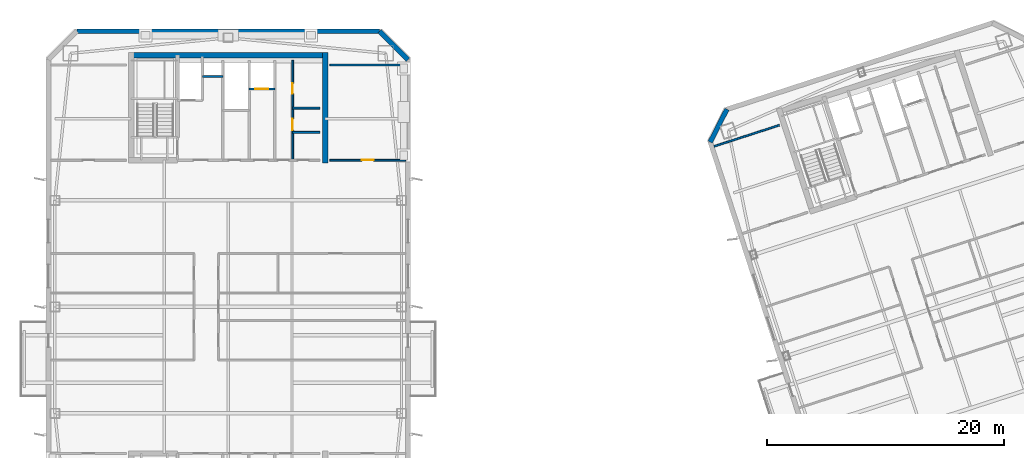
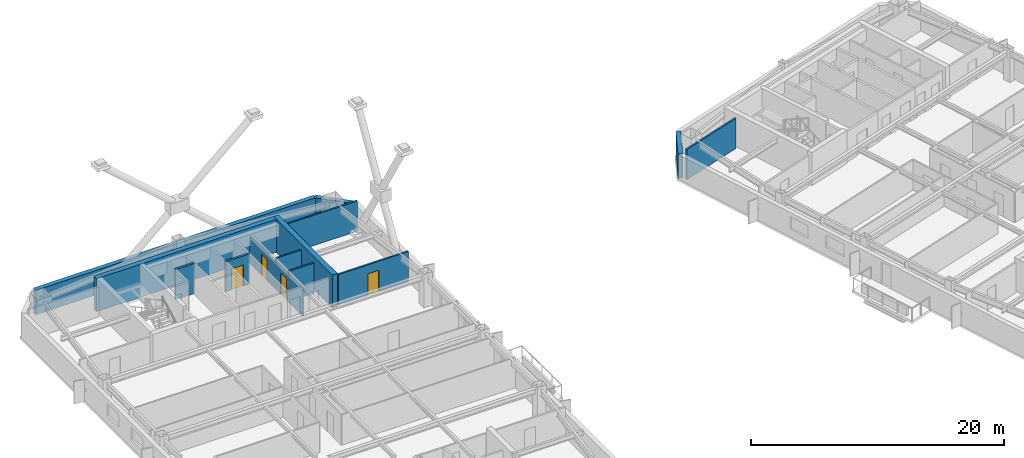
# One storey, part 8 of 18: 13 walls, 4 doors, 4 openings.
"""IFC4 building model written with IfcOpenShell, lengths in metres."""

from ifc_helpers import new_model, si_unit, direction, frame, frame_2d, origin, place, context, subcontext, project, spatial, rectangle, extrude, material, layer, layer_set, type_object, element, fill, save


model = new_model("IFC4")

# Units and contexts
model_context = context("Model", 3, precision=1e-05, world=origin(), true_north=direction((0.0, 1.0)))
body_context = subcontext(model_context, "Body", "Model", "MODEL_VIEW")
ifc_project = project(units=[si_unit("LENGTHUNIT", "METRE"), si_unit("AREAUNIT", "SQUARE_METRE"), si_unit("VOLUMEUNIT", "CUBIC_METRE"), si_unit("PLANEANGLEUNIT", "RADIAN"), si_unit("MASSUNIT", "GRAM", prefix="KILO")], contexts=[model_context])

# Site, building, storey
site_placement = place(None, origin())
site = spatial("IfcSite", under=ifc_project, at=site_placement, CompositionType="ELEMENT")
building_placement = place(site_placement, origin())
building = spatial("IfcBuilding", under=site, at=building_placement, Name="Qiaolan Cultural Towers", CompositionType="ELEMENT")
storey_placement = place(building_placement, frame((0.0, 0.0, 237.60009765625)))
storey = spatial("IfcBuildingStorey", under=building, at=storey_placement, Name="L64", CompositionType="ELEMENT", Elevation=237.60009765625)

# Walls
ifc_material_1 = material(Name="Concrete C50", Category="concrete")
ifc_layer_1 = layer(ifc_material_1, 0.449951171875)
ifc_layer_set_1 = layer_set([ifc_layer_1], Name="Concrete C50")
wall_type_1 = type_object("IfcWallType", Name="WL-CORE-450", PredefinedType="SHEAR", material=ifc_layer_set_1)
wall_1_placement = place(storey_placement, frame((21.574951171875, 55.280029296875, 0.0), z_axis=(0.0, 0.0, 1.0), x_axis=(1.0, 0.0, 0.0)))
element("IfcWall", 1, at=wall_1_placement, inside=storey, type_object=wall_type_1, Name="L64 T1-CN Outer Core Shear Wall", PredefinedType="SHEAR", context=body_context, shape_type="SweptSolid", body=[
    extrude(rectangle(XDim=16.85009765625, YDim=0.449951171875, at=frame_2d((8.425048828125, 0.0))), origin(), (0.0, 0.0, 1.0), 3.199951171875),
])
wall_2_placement = place(storey_placement, frame((38.199951171875, 46.175048828125, 0.0), z_axis=(0.0, 0.0, 1.0), x_axis=(0.0, 1.0, 0.0)))
element("IfcWall", 2, at=wall_2_placement, inside=storey, type_object=wall_type_1, Name="L64 T1-CN East Core Shear Wall", PredefinedType="SHEAR", context=body_context, shape_type="SweptSolid", body=[
    extrude(rectangle(XDim=9.329833984375, YDim=0.449951171875, at=frame_2d((4.6650390625, 0.0))), origin(), (0.0, 0.0, 1.0), 3.199951171875),
])
ifc_material_2 = material(Name="Precast Concrete C50 Honed Stone Pier", Category="masonry")
ifc_layer_2 = layer(ifc_material_2, 0.39990234375)
ifc_layer_set_2 = layer_set([ifc_layer_2], Name="Precast Concrete C50 Honed Stone Pier")
wall_type_2 = type_object("IfcWallType", Name="WL-EXT-PIER-400", PredefinedType="SOLIDWALL", material=ifc_layer_set_2)
wall_3_placement = place(storey_placement, frame((17.199951171875, 57.300048828125, 0.0), z_axis=(0.0, 0.0, 1.0), x_axis=(1.0, 0.0, 0.0)))
element("IfcWall", 3, at=wall_3_placement, inside=storey, type_object=wall_type_2, Name="L64 West Tower Precast Pier Facade Wall F3", PredefinedType="SOLIDWALL", context=body_context, shape_type="SweptSolid", body=[
    extrude(rectangle(XDim=25.60009765625, YDim=0.39990234375, at=frame_2d((12.800048828125, 0.0))), origin(), (0.0, 0.0, 1.0), 2.35986328125),
])
wall_4_placement = place(storey_placement, frame((42.800048828125, 57.300048828125, 0.0), z_axis=(0.0, 0.0, 1.0), x_axis=(0.707070815327, -0.707142745217, 0.0)))
element("IfcWall", 4, at=wall_4_placement, inside=storey, type_object=wall_type_2, Name="L64 West Tower Precast Pier Facade Wall F4", PredefinedType="SOLIDWALL", context=body_context, shape_type="SweptSolid", body=[
    extrude(rectangle(XDim=3.39404296875, YDim=0.39990234375, at=frame_2d((1.697021484375, 0.0))), origin(), (0.0, 0.0, 1.0), 2.35986328125),
])
wall_5_placement = place(storey_placement, frame((70.752197265625, 47.93408203125, 0.0), z_axis=(0.0, 0.0, 1.0), x_axis=(0.453949291228, 0.891027519774, 0.0)))
element("IfcWall", 5, at=wall_5_placement, inside=storey, type_object=wall_type_2, Name="L64 East Tower Precast Pier Facade Wall F2", PredefinedType="SOLIDWALL", context=body_context, shape_type="SweptSolid", body=[
    extrude(rectangle(XDim=3.111328125, YDim=0.39990234375, at=frame_2d((1.5556640625, 0.0))), origin(), (0.0, 0.0, 1.0), 2.35986328125),
])
ifc_material_3 = material(Name="Concrete C35 Fire Wall", Category="concrete")
ifc_layer_3 = layer(ifc_material_3, 0.199951171875)
ifc_layer_set_3 = layer_set([ifc_layer_3], Name="Concrete C35 Fire Wall")
wall_type_3 = type_object("IfcWallType", Name="WL-FIRE-200", PredefinedType="PARTITIONING", material=ifc_layer_set_3)
wall_6_placement = place(storey_placement, frame((27.820068359375, 53.47998046875, 0.0), z_axis=(0.0, 0.0, 1.0), x_axis=(1.0, 0.0, 0.0)))
element("IfcWall", 6, at=wall_6_placement, inside=storey, type_object=wall_type_3, Name="L64 T1-CN Pressurization Shaft Front Wall", PredefinedType="PARTITIONING", context=body_context, shape_type="SweptSolid", body=[
    extrude(rectangle(XDim=1.72998046875, YDim=0.199951171875, at=frame_2d((0.864990234375, 0.0))), origin(), (0.0, 0.0, 1.0), 2.9248046875),
])

# Wall, opening, door
wall_7_placement = place(storey_placement, frame((31.780029296875, 52.419921875, 0.0), z_axis=(0.0, 0.0, 1.0), x_axis=(1.0, 0.0, 0.0)))
wall_7 = element("IfcWall", 7, at=wall_7_placement, inside=storey, type_object=wall_type_3, Name="L64 T1-CN Shuttle Lift Shaft Front", PredefinedType="PARTITIONING", context=body_context, shape_type="SweptSolid", body=[
    extrude(rectangle(XDim=2.169921875, YDim=0.199951171875, at=frame_2d((1.0849609375, 0.0))), origin(), (0.0, 0.0, 1.0), 2.9248046875),
])
opening_1_placement = place(wall_7_placement, frame((0.52001953125, 0.0, 0.0)))
opening_1 = element("IfcOpeningElement", 8, at=opening_1_placement, cuts=wall_7, Name="Opening LD-01", PredefinedType="OPENING", context=body_context, shape_type="SweptSolid", body=[
    extrude(rectangle(XDim=1.10009765625, YDim=2.050048828125, at=frame_2d((0.550048828125, 1.02490234375))), frame((0.0, 0.10986328125, 0.0), z_axis=(0.0, -1.0, 0.0), x_axis=(1.0, 0.0, 0.0)), (0.0, 0.0, 1.0), 0.219970703125),
])
ifc_material_4 = material(Name="Brushed Stainless Steel S30408 Centre-Parting Lift Landing Door", Category="steel")
door_type_1 = type_object("IfcDoorType", Name="DR-LIFT-1100", OperationType="NOTDEFINED", PredefinedType="DOOR", material=ifc_material_4)
door_1_placement = place(opening_1_placement, origin())
door_1 = element("IfcDoor", 9, at=door_1_placement, inside=storey, type_object=door_type_1, Name="L64 Sky Shuttle Lift Landing Door", OperationType="DOUBLE_DOOR_SLIDING", OverallHeight=2.050048828125, OverallWidth=1.10009765625, PredefinedType="DOOR", context=body_context, shape_type="SweptSolid", body=[
    extrude(rectangle(XDim=1.10009765625, YDim=2.050048828125, at=frame_2d((0.550048828125, 1.02490234375))), frame((0.0, 0.02490234375, 0.0), z_axis=(0.0, -1.0, 0.0), x_axis=(1.0, 0.0, 0.0)), (0.0, 0.0, 1.0), 0.050048828125),
])
fill(opening_1, door_1)

# Wall, openings, doors
ifc_material_5 = material(Name="Autoclaved Aerated Concrete Block B06", Category="concrete")
ifc_layer_4 = layer(ifc_material_5, 0.14990234375)
ifc_layer_set_4 = layer_set([ifc_layer_4], Name="Autoclaved Aerated Concrete Block B06")
wall_type_4 = type_object("IfcWallType", Name="WL-PART-150", PredefinedType="PARTITIONING", material=ifc_layer_set_4)
wall_8_placement = place(storey_placement, frame((35.449951171875, 46.39990234375, 0.0), z_axis=(0.0, 0.0, 1.0), x_axis=(0.0, 1.0, 0.0)))
wall_8 = element("IfcWall", 10, at=wall_8_placement, inside=storey, type_object=wall_type_4, Name="L64 T1-CN Sanitary Corridor Wall", PredefinedType="PARTITIONING", context=body_context, shape_type="SweptSolid", body=[
    extrude(rectangle(XDim=8.43017578125, YDim=0.14990234375, at=frame_2d((4.215087890625, 0.0))), origin(), (0.0, 0.0, 1.0), 2.514892578125),
])
opening_2_placement = place(wall_8_placement, frame((2.550048828125, 0.0, 0.0)))
opening_2 = element("IfcOpeningElement", 11, at=opening_2_placement, cuts=wall_8, Name="Opening ID-05", PredefinedType="OPENING", context=body_context, shape_type="SweptSolid", body=[
    extrude(rectangle(XDim=0.949951171875, YDim=2.050048828125, at=frame_2d((0.47509765625, 1.02490234375))), frame((0.0, 0.0849609375, 0.0), z_axis=(0.0, -1.0, 0.0), x_axis=(1.0, 0.0, 0.0)), (0.0, 0.0, 1.0), 0.169921875),
])
opening_3_placement = place(wall_8_placement, frame((5.60009765625, 0.0, 0.0)))
opening_3 = element("IfcOpeningElement", 12, at=opening_3_placement, cuts=wall_8, Name="Opening ID-06", PredefinedType="OPENING", context=body_context, shape_type="SweptSolid", body=[
    extrude(rectangle(XDim=0.89990234375, YDim=2.050048828125, at=frame_2d((0.449951171875, 1.02490234375))), frame((0.0, 0.0849609375, 0.0), z_axis=(0.0, -1.0, 0.0), x_axis=(1.0, 0.0, 0.0)), (0.0, 0.0, 1.0), 0.169921875),
])
ifc_material_6 = material(Name="Fire-Rated Laminate Core Service Door", Category="timber")
door_type_2 = type_object("IfcDoorType", Name="DR-INT-900", OperationType="NOTDEFINED", PredefinedType="DOOR", material=ifc_material_6)
door_2_placement = place(opening_3_placement, origin())
door_2 = element("IfcDoor", 13, at=door_2_placement, inside=storey, type_object=door_type_2, Name="L64 Staff Restroom Door", OperationType="SINGLE_SWING_RIGHT", OverallHeight=2.050048828125, OverallWidth=0.89990234375, PredefinedType="DOOR", context=body_context, shape_type="SweptSolid", body=[
    extrude(rectangle(XDim=0.89990234375, YDim=2.050048828125, at=frame_2d((0.449951171875, 1.02490234375))), frame((0.0, 0.02490234375, 0.0), z_axis=(0.0, -1.0, 0.0), x_axis=(1.0, 0.0, 0.0)), (0.0, 0.0, 1.0), 0.050048828125),
])
fill(opening_3, door_2)
ifc_material_7 = material(Name="Fire-Rated Laminate Accessible Core Door", Category="timber")
door_type_3 = type_object("IfcDoorType", Name="DR-INT-950", OperationType="NOTDEFINED", PredefinedType="DOOR", material=ifc_material_7)
door_3_placement = place(opening_2_placement, origin())
door_3 = element("IfcDoor", 14, at=door_3_placement, inside=storey, type_object=door_type_3, Name="L64 Accessible Washroom Door", OperationType="SINGLE_SWING_LEFT", OverallHeight=2.050048828125, OverallWidth=0.949951171875, PredefinedType="DOOR", context=body_context, shape_type="SweptSolid", body=[
    extrude(rectangle(XDim=0.949951171875, YDim=2.050048828125, at=frame_2d((0.47509765625, 1.02490234375))), frame((0.0, 0.02490234375, 0.0), z_axis=(0.0, -1.0, 0.0), x_axis=(1.0, 0.0, 0.0)), (0.0, 0.0, 1.0), 0.050048828125),
])
fill(opening_2, door_3)

# Walls
for number, where, z_axis, x_axis, name in (
    (15, (35.449951171875, 50.800048828125, 0.0), (0.0, 0.0, 1.0), (1.0, 0.0, 0.0), "L64 T1-CN Restroom Split Wall"),
    (16, (35.449951171875, 48.75, 0.0), (0.0, 0.0, 1.0), (1.0, 0.0, 0.0), "L64 T1-CN Core Pantry Wall"),
):
    element("IfcWall", number, at=place(storey_placement, frame(where, z_axis=z_axis, x_axis=x_axis)), inside=storey, type_object=wall_type_4, Name=name, PredefinedType="PARTITIONING", context=body_context, shape_type="SweptSolid", body=[
        extrude(rectangle(XDim=2.300048828125, YDim=0.14990234375, at=frame_2d((1.14990234375, 0.0))), origin(), (0.0, 0.0, 1.0), 2.9248046875),
    ])
wall_9_placement = place(storey_placement, frame((38.60009765625, 54.449951171875, 0.0), z_axis=(0.0, 0.0, 1.0), x_axis=(1.0, 0.0, 0.0)))
element("IfcWall", 17, at=wall_9_placement, inside=storey, type_object=wall_type_4, Name="L64 T1 Flank Wall FLK-NE", PredefinedType="PARTITIONING", context=body_context, shape_type="SweptSolid", body=[
    extrude(rectangle(XDim=6.39990234375, YDim=0.14990234375, at=frame_2d((3.199951171875, 0.0))), origin(), (0.0, 0.0, 1.0), 2.9248046875),
])

# Wall, opening, door
wall_10_placement = place(storey_placement, frame((38.60009765625, 46.39990234375, 0.0), z_axis=(0.0, 0.0, 1.0), x_axis=(1.0, 0.0, 0.0)))
wall_10 = element("IfcWall", 18, at=wall_10_placement, inside=storey, type_object=wall_type_4, Name="L64 T1 Flank Front FLK-NE", PredefinedType="PARTITIONING", context=body_context, shape_type="SweptSolid", body=[
    extrude(rectangle(XDim=6.39990234375, YDim=0.14990234375, at=frame_2d((3.199951171875, 0.0))), origin(), (0.0, 0.0, 1.0), 2.9248046875),
])
opening_4_placement = place(wall_10_placement, frame((2.68798828125, 0.0, 0.0)))
opening_4 = element("IfcOpeningElement", 19, at=opening_4_placement, cuts=wall_10, Name="Opening ID-04", PredefinedType="OPENING", context=body_context, shape_type="SweptSolid", body=[
    extrude(rectangle(XDim=1.0, YDim=2.050048828125, at=frame_2d((0.5, 1.02490234375))), frame((0.0, 0.0849609375, 0.0), z_axis=(0.0, -1.0, 0.0), x_axis=(1.0, 0.0, 0.0)), (0.0, 0.0, 1.0), 0.169921875),
])
ifc_material_8 = material(Name="Oak Veneer Acoustic Office Door", Category="timber")
door_type_4 = type_object("IfcDoorType", Name="DR-INT-1000", OperationType="NOTDEFINED", PredefinedType="DOOR", material=ifc_material_8)
door_4_placement = place(opening_4_placement, origin())
door_4 = element("IfcDoor", 20, at=door_4_placement, inside=storey, type_object=door_type_4, Name="L64 T1 Corner Studio Door", OperationType="SINGLE_SWING_LEFT", OverallHeight=2.050048828125, OverallWidth=1.0, PredefinedType="DOOR", context=body_context, shape_type="SweptSolid", body=[
    extrude(rectangle(XDim=1.0, YDim=2.050048828125, at=frame_2d((0.5, 1.02490234375))), frame((0.0, 0.02490234375, 0.0), z_axis=(0.0, -1.0, 0.0), x_axis=(1.0, 0.0, 0.0)), (0.0, 0.0, 1.0), 0.050048828125),
])
fill(opening_4, door_4)

# Wall
wall_11_placement = place(storey_placement, frame((71.081298828125, 47.56787109375, 0.0), z_axis=(0.0, 0.0, 1.0), x_axis=(0.951059431056, 0.309008023519, 0.0)))
element("IfcWall", 21, at=wall_11_placement, inside=storey, type_object=wall_type_4, Name="L64 T2 Flank Wall FLK-NW", PredefinedType="PARTITIONING", context=body_context, shape_type="SweptSolid", body=[
    extrude(rectangle(XDim=5.800048828125, YDim=0.14990234375, at=frame_2d((2.89990234375, 0.0))), origin(), (0.0, 0.0, 1.0), 2.9248046875),
])

save(model, "model.ifc")
